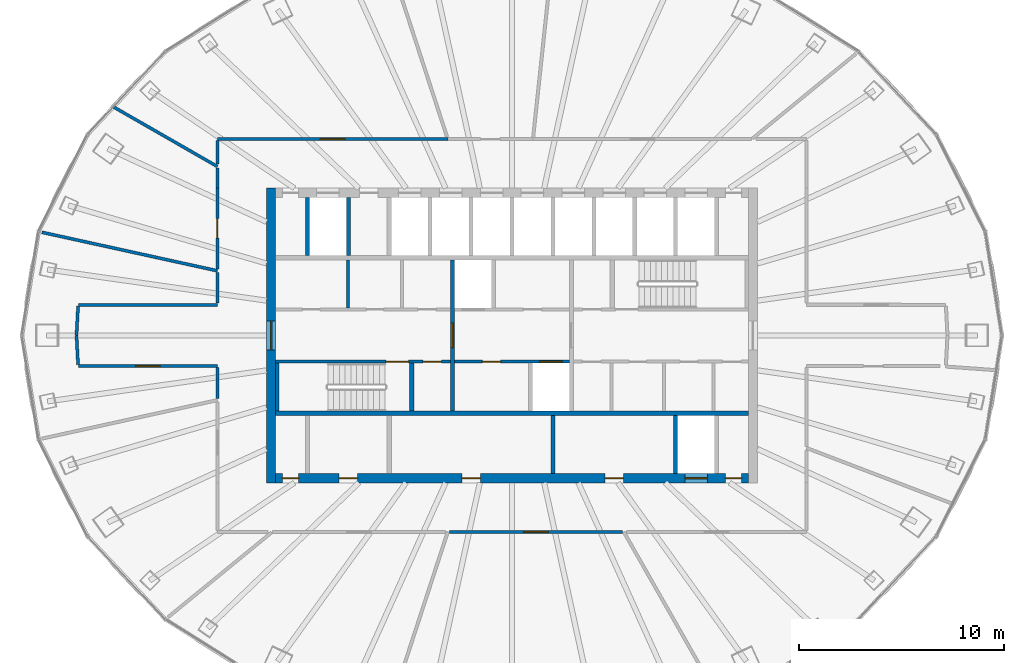
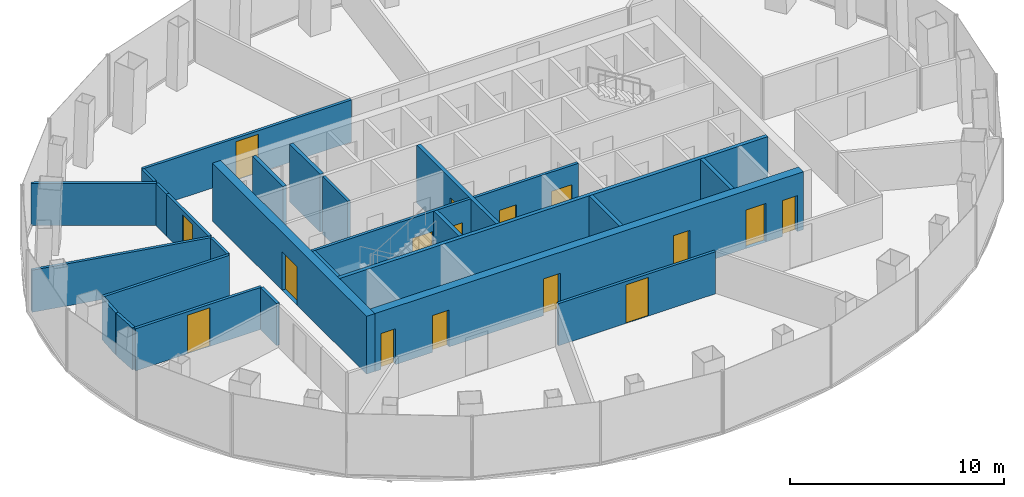
# One storey, part 7 of 10: 26 walls, 16 doors, 16 openings.
"""IFC4 building model written with IfcOpenShell, lengths in metres."""

from ifc_helpers import new_model, si_unit, direction, frame, frame_2d, origin, place, context, subcontext, project, spatial, rectangle, extrude, material, layer, layer_set, type_object, element, fill, save


model = new_model("IFC4")

# Units and contexts
model_context = context("Model", 3, precision=1e-05, world=origin(), true_north=direction((0.0, 1.0)))
body_context = subcontext(model_context, "Body", "Model", "MODEL_VIEW")
ifc_project = project(units=[si_unit("LENGTHUNIT", "METRE"), si_unit("AREAUNIT", "SQUARE_METRE"), si_unit("VOLUMEUNIT", "CUBIC_METRE"), si_unit("PLANEANGLEUNIT", "RADIAN"), si_unit("MASSUNIT", "GRAM", prefix="KILO")], contexts=[model_context])

# Site, building, storey
site_placement = place(None, origin())
site = spatial("IfcSite", under=ifc_project, at=site_placement, CompositionType="ELEMENT")
building_placement = place(site_placement, origin())
building = spatial("IfcBuilding", under=site, at=building_placement, Name="Siaravel Broadcast Tower", CompositionType="ELEMENT")
storey_placement = place(building_placement, frame((0.0, 0.0, 164.5)))
storey = spatial("IfcBuildingStorey", under=building, at=storey_placement, Name="L39", CompositionType="ELEMENT", Elevation=164.5)

# Walls
ifc_material_1 = material(Name="Concrete blockwork", Category="masonry")
ifc_layer_1 = layer(ifc_material_1, 0.14990234375)
ifc_layer_set_1 = layer_set([ifc_layer_1], Name="Concrete blockwork")
wall_type_1 = type_object("IfcWallType", Name="Core partition 150", PredefinedType="PARTITIONING", material=ifc_layer_set_1)
wall_1_placement = place(storey_placement, frame((-8.010009765625, 1.35009765625, 0.0), z_axis=(0.0, 0.0, 1.0), x_axis=(0.0, 1.0, 0.0)))
element("IfcWall", 1, at=wall_1_placement, inside=storey, type_object=wall_type_1, Name="L39 core partition PNW0", PredefinedType="PARTITIONING", context=body_context, shape_type="SweptSolid", body=[
    extrude(rectangle(XDim=2.349853515625, YDim=0.14990234375, at=frame_2d((1.1748046875, 0.0))), origin(), (0.0, 0.0, 1.0), 3.300048828125),
])
ifc_layer_2 = layer(ifc_material_1, 0.199951171875)
ifc_layer_set_2 = layer_set([ifc_layer_2], Name="Concrete blockwork")
wall_type_2 = type_object("IfcWallType", Name="Core partition 200", PredefinedType="PARTITIONING", material=ifc_layer_set_2)
wall_2_placement = place(storey_placement, frame((2.0, -6.75, 0.0), z_axis=(0.0, 0.0, 1.0), x_axis=(0.0, 1.0, 0.0)))
element("IfcWall", 2, at=wall_2_placement, inside=storey, type_object=wall_type_2, Name="L39 core partition PFS2", PredefinedType="PARTITIONING", context=body_context, shape_type="SweptSolid", body=[
    extrude(rectangle(XDim=2.85009765625, YDim=0.199951171875, at=frame_2d((1.425048828125, 0.0))), origin(), (0.0, 0.0, 1.0), 3.300048828125),
])

# Wall, opening, door
ifc_material_2 = material(Name="Concrete C60/75", Category="concrete")
ifc_layer_3 = layer(ifc_material_2, 0.449951171875)
ifc_layer_set_3 = layer_set([ifc_layer_3], Name="Concrete C60/75")
wall_type_3 = type_object("IfcWallType", Name="Core wall 450", PredefinedType="SHEAR", material=ifc_layer_set_3)
wall_3_placement = place(storey_placement, frame((-11.77490234375, -7.199951171875, 0.0), z_axis=(0.0, 0.0, 1.0), x_axis=(0.0, 1.0, 0.0)))
wall_3 = element("IfcWall", 3, at=wall_3_placement, inside=storey, type_object=wall_type_3, Name="L39 core wall OW", PredefinedType="SHEAR", context=body_context, shape_type="SweptSolid", body=[
    extrude(rectangle(XDim=14.39990234375, YDim=0.449951171875, at=frame_2d((7.199951171875, 0.0))), origin(), (0.0, 0.0, 1.0), 3.300048828125),
])
opening_1_placement = place(wall_3_placement, frame((6.5, 0.0, 0.0)))
opening_1 = element("IfcOpeningElement", 4, at=opening_1_placement, cuts=wall_3, Name="Opening L39-DX-W", PredefinedType="OPENING", context=body_context, shape_type="SweptSolid", body=[
    extrude(rectangle(XDim=1.39990234375, YDim=2.199951171875, at=frame_2d((0.699951171875, 1.10009765625))), frame((0.0, 0.23486328125, 0.0), z_axis=(0.0, -1.0, 0.0), x_axis=(1.0, 0.0, 0.0)), (0.0, 0.0, 1.0), 0.469970703125),
])
ifc_material_3 = material(Name="Steel", Category="steel")
door_type_1 = type_object("IfcDoorType", Name="Core exit door 1400", OperationType="DOUBLE_DOOR_SINGLE_SWING", PredefinedType="DOOR", material=ifc_material_3)
door_1_placement = place(opening_1_placement, origin())
door_1 = element("IfcDoor", 5, at=door_1_placement, inside=storey, type_object=door_type_1, Name="L39 door DX-W", OperationType="DOUBLE_DOOR_SINGLE_SWING", OverallHeight=2.199951171875, OverallWidth=1.39990234375, PredefinedType="DOOR", context=body_context, shape_type="SweptSolid", body=[
    extrude(rectangle(XDim=1.39990234375, YDim=2.199951171875, at=frame_2d((0.699951171875, 1.10009765625))), frame((0.0, 0.02490234375, 0.0), z_axis=(0.0, -1.0, 0.0), x_axis=(1.0, 0.0, 0.0)), (0.0, 0.0, 1.0), 0.050048828125),
])
fill(opening_1, door_1)

# Wall, openings, doors
wall_4_placement = place(storey_placement, frame((-11.550048828125, -6.97509765625, 0.0), z_axis=(0.0, 0.0, 1.0), x_axis=(1.0, 0.0, 0.0)))
wall_4 = element("IfcWall", 6, at=wall_4_placement, inside=storey, type_object=wall_type_3, Name="L39 core wall OS", PredefinedType="SHEAR", context=body_context, shape_type="SweptSolid", body=[
    extrude(rectangle(XDim=23.10009765625, YDim=0.449951171875, at=frame_2d((11.550048828125, 0.0))), origin(), (0.0, 0.0, 1.0), 3.300048828125),
])
opening_2_placement = place(wall_4_placement, frame((20.0, 0.0, 0.0)))
opening_2 = element("IfcOpeningElement", 7, at=opening_2_placement, cuts=wall_4, Name="Opening LD-SV1-L39", PredefinedType="OPENING", context=body_context, shape_type="SweptSolid", body=[
    extrude(rectangle(XDim=1.10009765625, YDim=2.199951171875, at=frame_2d((0.550048828125, 1.10009765625))), frame((0.0, 0.23486328125, 0.0), z_axis=(0.0, -1.0, 0.0), x_axis=(1.0, 0.0, 0.0)), (0.0, 0.0, 1.0), 0.469970703125),
])
opening_3_placement = place(wall_4_placement, frame((3.10009765625, 0.0, 0.0)))
opening_3 = element("IfcOpeningElement", 8, at=opening_3_placement, cuts=wall_4, Name="Opening L39-DFS0", PredefinedType="OPENING", context=body_context, shape_type="SweptSolid", body=[
    extrude(rectangle(XDim=0.89990234375, YDim=2.10009765625, at=frame_2d((0.449951171875, 1.050048828125))), frame((0.0, 0.23486328125, 0.0), z_axis=(0.0, -1.0, 0.0), x_axis=(1.0, 0.0, 0.0)), (0.0, 0.0, 1.0), 0.469970703125),
])
opening_4_placement = place(wall_4_placement, frame((9.10009765625, 0.0, 0.0)))
opening_4 = element("IfcOpeningElement", 9, at=opening_4_placement, cuts=wall_4, Name="Opening L39-DFS2", PredefinedType="OPENING", context=body_context, shape_type="SweptSolid", body=[
    extrude(rectangle(XDim=0.89990234375, YDim=2.10009765625, at=frame_2d((0.449951171875, 1.050048828125))), frame((0.0, 0.23486328125, 0.0), z_axis=(0.0, -1.0, 0.0), x_axis=(1.0, 0.0, 0.0)), (0.0, 0.0, 1.0), 0.469970703125),
])
opening_5_placement = place(wall_4_placement, frame((16.10009765625, 0.0, 0.0)))
opening_5 = element("IfcOpeningElement", 10, at=opening_5_placement, cuts=wall_4, Name="Opening L39-DFS6", PredefinedType="OPENING", context=body_context, shape_type="SweptSolid", body=[
    extrude(rectangle(XDim=0.89990234375, YDim=2.10009765625, at=frame_2d((0.449951171875, 1.050048828125))), frame((0.0, 0.23486328125, 0.0), z_axis=(0.0, -1.0, 0.0), x_axis=(1.0, 0.0, 0.0)), (0.0, 0.0, 1.0), 0.469970703125),
])
opening_6_placement = place(wall_4_placement, frame((0.324951171875, 0.0, 0.0)))
opening_6 = element("IfcOpeningElement", 11, at=opening_6_placement, cuts=wall_4, Name="Opening L39-DRSW", PredefinedType="OPENING", context=body_context, shape_type="SweptSolid", body=[
    extrude(rectangle(XDim=0.800048828125, YDim=2.050048828125, at=frame_2d((0.39990234375, 1.02490234375))), frame((0.0, 0.23486328125, 0.0), z_axis=(0.0, -1.0, 0.0), x_axis=(1.0, 0.0, 0.0)), (0.0, 0.0, 1.0), 0.469970703125),
])
opening_7_placement = place(wall_4_placement, frame((21.97509765625, 0.0, 0.0)))
opening_7 = element("IfcOpeningElement", 12, at=opening_7_placement, cuts=wall_4, Name="Opening L39-DRSE", PredefinedType="OPENING", context=body_context, shape_type="SweptSolid", body=[
    extrude(rectangle(XDim=0.800048828125, YDim=2.050048828125, at=frame_2d((0.39990234375, 1.02490234375))), frame((0.0, 0.23486328125, 0.0), z_axis=(0.0, -1.0, 0.0), x_axis=(1.0, 0.0, 0.0)), (0.0, 0.0, 1.0), 0.469970703125),
])
ifc_material_4 = material(Name="Timber veneer", Category="wood")
door_type_2 = type_object("IfcDoorType", Name="Core room door 900", OperationType="SINGLE_SWING_LEFT", PredefinedType="DOOR", material=ifc_material_4)
door_2_placement = place(opening_3_placement, origin())
door_2 = element("IfcDoor", 13, at=door_2_placement, inside=storey, type_object=door_type_2, Name="L39 door DFS0", OperationType="SINGLE_SWING_LEFT", OverallHeight=2.10009765625, OverallWidth=0.89990234375, PredefinedType="DOOR", context=body_context, shape_type="SweptSolid", body=[
    extrude(rectangle(XDim=0.89990234375, YDim=2.10009765625, at=frame_2d((0.449951171875, 1.050048828125))), frame((0.0, 0.02490234375, 0.0), z_axis=(0.0, -1.0, 0.0), x_axis=(1.0, 0.0, 0.0)), (0.0, 0.0, 1.0), 0.050048828125),
])
fill(opening_3, door_2)
door_3_placement = place(opening_4_placement, origin())
door_3 = element("IfcDoor", 14, at=door_3_placement, inside=storey, type_object=door_type_2, Name="L39 door DFS2", OperationType="SINGLE_SWING_LEFT", OverallHeight=2.10009765625, OverallWidth=0.89990234375, PredefinedType="DOOR", context=body_context, shape_type="SweptSolid", body=[
    extrude(rectangle(XDim=0.89990234375, YDim=2.10009765625, at=frame_2d((0.449951171875, 1.050048828125))), frame((0.0, 0.02490234375, 0.0), z_axis=(0.0, -1.0, 0.0), x_axis=(1.0, 0.0, 0.0)), (0.0, 0.0, 1.0), 0.050048828125),
])
fill(opening_4, door_3)
door_4_placement = place(opening_5_placement, origin())
door_4 = element("IfcDoor", 15, at=door_4_placement, inside=storey, type_object=door_type_2, Name="L39 door DFS6", OperationType="SINGLE_SWING_LEFT", OverallHeight=2.10009765625, OverallWidth=0.89990234375, PredefinedType="DOOR", context=body_context, shape_type="SweptSolid", body=[
    extrude(rectangle(XDim=0.89990234375, YDim=2.10009765625, at=frame_2d((0.449951171875, 1.050048828125))), frame((0.0, 0.02490234375, 0.0), z_axis=(0.0, -1.0, 0.0), x_axis=(1.0, 0.0, 0.0)), (0.0, 0.0, 1.0), 0.050048828125),
])
fill(opening_5, door_4)
door_type_3 = type_object("IfcDoorType", Name="Riser door 800", OperationType="SINGLE_SWING_LEFT", PredefinedType="DOOR", material=ifc_material_3)
door_5_placement = place(opening_6_placement, origin())
door_5 = element("IfcDoor", 16, at=door_5_placement, inside=storey, type_object=door_type_3, Name="L39 door DRSW", OperationType="SINGLE_SWING_LEFT", OverallHeight=2.050048828125, OverallWidth=0.800048828125, PredefinedType="DOOR", context=body_context, shape_type="SweptSolid", body=[
    extrude(rectangle(XDim=0.800048828125, YDim=2.050048828125, at=frame_2d((0.39990234375, 1.02490234375))), frame((0.0, 0.02490234375, 0.0), z_axis=(0.0, -1.0, 0.0), x_axis=(1.0, 0.0, 0.0)), (0.0, 0.0, 1.0), 0.050048828125),
])
fill(opening_6, door_5)
door_6_placement = place(opening_7_placement, origin())
door_6 = element("IfcDoor", 17, at=door_6_placement, inside=storey, type_object=door_type_3, Name="L39 door DRSE", OperationType="SINGLE_SWING_LEFT", OverallHeight=2.050048828125, OverallWidth=0.800048828125, PredefinedType="DOOR", context=body_context, shape_type="SweptSolid", body=[
    extrude(rectangle(XDim=0.800048828125, YDim=2.050048828125, at=frame_2d((0.39990234375, 1.02490234375))), frame((0.0, 0.02490234375, 0.0), z_axis=(0.0, -1.0, 0.0), x_axis=(1.0, 0.0, 0.0)), (0.0, 0.0, 1.0), 0.050048828125),
])
fill(opening_7, door_6)
ifc_material_5 = material(Name="Stainless steel 316L", Category="steel")
door_type_4 = type_object("IfcDoorType", Name="Service lift landing door 1100", OperationType="DOUBLE_DOOR_SLIDING", PredefinedType="DOOR", material=ifc_material_5)
door_7_placement = place(opening_2_placement, origin())
door_7 = element("IfcDoor", 18, at=door_7_placement, inside=storey, type_object=door_type_4, Name="Landing door SV1 L39", OperationType="DOUBLE_DOOR_SLIDING", OverallHeight=2.199951171875, OverallWidth=1.10009765625, PredefinedType="DOOR", context=body_context, shape_type="SweptSolid", body=[
    extrude(rectangle(XDim=1.10009765625, YDim=2.199951171875, at=frame_2d((0.550048828125, 1.10009765625))), frame((0.0, 0.02490234375, 0.0), z_axis=(0.0, -1.0, 0.0), x_axis=(1.0, 0.0, 0.0)), (0.0, 0.0, 1.0), 0.050048828125),
])
fill(opening_2, door_7)

# Wall, opening, door
ifc_material_6 = material(Name="Gypsum board partition", Category="gypsum")
ifc_layer_4 = layer(ifc_material_6, 0.14990234375)
ifc_layer_set_4 = layer_set([ifc_layer_4], Name="Gypsum board partition")
wall_type_4 = type_object("IfcWallType", Name="Corridor wall 150", PredefinedType="PARTITIONING", material=ifc_layer_set_4)
wall_5_placement = place(storey_placement, frame((-3.140380859375, 9.60009765625, 0.0), z_axis=(0.0, 0.0, 1.0), x_axis=(-1.0, 0.0, 0.0)))
wall_5 = element("IfcWall", 19, at=wall_5_placement, inside=storey, type_object=wall_type_4, Name="L39 partition 1", PredefinedType="PARTITIONING", context=body_context, shape_type="SweptSolid", body=[
    extrude(rectangle(XDim=11.259521484375, YDim=0.14990234375, at=frame_2d((5.6298828125, 0.0))), origin(), (0.0, 0.0, 1.0), 2.39990234375),
])
opening_8_placement = place(wall_5_placement, frame((5.02978515625, 0.0, 0.0)))
opening_8 = element("IfcOpeningElement", 20, at=opening_8_placement, cuts=wall_5, Name="Opening L39-004", PredefinedType="OPENING", context=body_context, shape_type="SweptSolid", body=[
    extrude(rectangle(XDim=1.199951171875, YDim=2.199951171875, at=frame_2d((0.60009765625, 1.10009765625))), frame((0.0, 0.0849609375, 0.0), z_axis=(0.0, -1.0, 0.0), x_axis=(1.0, 0.0, 0.0)), (0.0, 0.0, 1.0), 0.169921875),
])
door_type_5 = type_object("IfcDoorType", Name="Office double door 1200", OperationType="DOUBLE_DOOR_SINGLE_SWING", PredefinedType="DOOR", material=ifc_material_4)
door_8_placement = place(opening_8_placement, origin())
door_8 = element("IfcDoor", 21, at=door_8_placement, inside=storey, type_object=door_type_5, Name="L39 door to Open plan office", OperationType="DOUBLE_DOOR_SINGLE_SWING", OverallHeight=2.199951171875, OverallWidth=1.199951171875, PredefinedType="DOOR", context=body_context, shape_type="SweptSolid", body=[
    extrude(rectangle(XDim=1.199951171875, YDim=2.199951171875, at=frame_2d((0.60009765625, 1.10009765625))), frame((0.0, 0.02490234375, 0.0), z_axis=(0.0, -1.0, 0.0), x_axis=(1.0, 0.0, 0.0)), (0.0, 0.0, 1.0), 0.050048828125),
])
fill(opening_8, door_8)

wall_6_placement = place(storey_placement, frame((-3.067138671875, -9.60009765625, 0.0), z_axis=(0.0, 0.0, 1.0), x_axis=(1.0, 0.0, 0.0)))
wall_6 = element("IfcWall", 22, at=wall_6_placement, inside=storey, type_object=wall_type_4, Name="L39 partition 10", PredefinedType="PARTITIONING", context=body_context, shape_type="SweptSolid", body=[
    extrude(rectangle(XDim=8.465087890625, YDim=0.14990234375, at=frame_2d((4.232421875, 0.0))), origin(), (0.0, 0.0, 1.0), 2.39990234375),
])
opening_9_placement = place(wall_6_placement, frame((3.632568359375, 0.0, 0.0)))
opening_9 = element("IfcOpeningElement", 23, at=opening_9_placement, cuts=wall_6, Name="Opening L39-009", PredefinedType="OPENING", context=body_context, shape_type="SweptSolid", body=[
    extrude(rectangle(XDim=1.199951171875, YDim=2.199951171875, at=frame_2d((0.60009765625, 1.10009765625))), frame((0.0, 0.0849609375, 0.0), z_axis=(0.0, -1.0, 0.0), x_axis=(1.0, 0.0, 0.0)), (0.0, 0.0, 1.0), 0.169921875),
])
door_9_placement = place(opening_9_placement, origin())
door_9 = element("IfcDoor", 24, at=door_9_placement, inside=storey, type_object=door_type_5, Name="L39 door to Open plan office", OperationType="DOUBLE_DOOR_SINGLE_SWING", OverallHeight=2.199951171875, OverallWidth=1.199951171875, PredefinedType="DOOR", context=body_context, shape_type="SweptSolid", body=[
    extrude(rectangle(XDim=1.199951171875, YDim=2.199951171875, at=frame_2d((0.60009765625, 1.10009765625))), frame((0.0, 0.02490234375, 0.0), z_axis=(0.0, -1.0, 0.0), x_axis=(1.0, 0.0, 0.0)), (0.0, 0.0, 1.0), 0.050048828125),
])
fill(opening_9, door_9)

wall_7_placement = place(storey_placement, frame((-21.20166015625, -1.5, 0.0), z_axis=(0.0, 0.0, 1.0), x_axis=(1.0, 0.0, 0.0)))
wall_7 = element("IfcWall", 25, at=wall_7_placement, inside=storey, type_object=wall_type_4, Name="L39 partition 13", PredefinedType="PARTITIONING", context=body_context, shape_type="SweptSolid", body=[
    extrude(rectangle(XDim=6.8017578125, YDim=0.14990234375, at=frame_2d((3.40087890625, 0.0))), origin(), (0.0, 0.0, 1.0), 2.39990234375),
])
opening_10_placement = place(wall_7_placement, frame((2.80078125, 0.0, 0.0)))
opening_10 = element("IfcOpeningElement", 26, at=opening_10_placement, cuts=wall_7, Name="Opening L39-006", PredefinedType="OPENING", context=body_context, shape_type="SweptSolid", body=[
    extrude(rectangle(XDim=1.199951171875, YDim=2.199951171875, at=frame_2d((0.60009765625, 1.10009765625))), frame((0.0, 0.0849609375, 0.0), z_axis=(0.0, -1.0, 0.0), x_axis=(1.0, 0.0, 0.0)), (0.0, 0.0, 1.0), 0.169921875),
])
door_10_placement = place(opening_10_placement, origin())
door_10 = element("IfcDoor", 27, at=door_10_placement, inside=storey, type_object=door_type_5, Name="L39 door to Open plan office", OperationType="DOUBLE_DOOR_SINGLE_SWING", OverallHeight=2.199951171875, OverallWidth=1.199951171875, PredefinedType="DOOR", context=body_context, shape_type="SweptSolid", body=[
    extrude(rectangle(XDim=1.199951171875, YDim=2.199951171875, at=frame_2d((0.60009765625, 1.10009765625))), frame((0.0, 0.02490234375, 0.0), z_axis=(0.0, -1.0, 0.0), x_axis=(1.0, 0.0, 0.0)), (0.0, 0.0, 1.0), 0.050048828125),
])
fill(opening_10, door_10)

# Wall
wall_8_placement = place(storey_placement, frame((-14.39990234375, 1.5, 0.0), z_axis=(0.0, 0.0, 1.0), x_axis=(-1.0, 0.0, 0.0)))
element("IfcWall", 28, at=wall_8_placement, inside=storey, type_object=wall_type_4, Name="L39 partition 14", PredefinedType="PARTITIONING", context=body_context, shape_type="SweptSolid", body=[
    extrude(rectangle(XDim=6.8017578125, YDim=0.14990234375, at=frame_2d((3.40087890625, 0.0))), origin(), (0.0, 0.0, 1.0), 2.39990234375),
])

# Wall, opening, door
wall_9_placement = place(storey_placement, frame((-14.39990234375, 7.2119140625, 0.0), z_axis=(0.0, 0.0, 1.0), x_axis=(0.0, -1.0, 0.0)))
wall_9 = element("IfcWall", 29, at=wall_9_placement, inside=storey, type_object=wall_type_4, Name="L39 partition 23", PredefinedType="PARTITIONING", context=body_context, shape_type="SweptSolid", body=[
    extrude(rectangle(XDim=3.9560546875, YDim=0.14990234375, at=frame_2d((1.97802734375, 0.0))), origin(), (0.0, 0.0, 1.0), 2.39990234375),
])
opening_11_placement = place(wall_9_placement, frame((1.503173828125, 0.0, 0.0)))
opening_11 = element("IfcOpeningElement", 30, at=opening_11_placement, cuts=wall_9, Name="Opening L39-005", PredefinedType="OPENING", context=body_context, shape_type="SweptSolid", body=[
    extrude(rectangle(XDim=0.949951171875, YDim=2.14990234375, at=frame_2d((0.47509765625, 1.074951171875))), frame((0.0, 0.0849609375, 0.0), z_axis=(0.0, -1.0, 0.0), x_axis=(1.0, 0.0, 0.0)), (0.0, 0.0, 1.0), 0.169921875),
])
door_type_6 = type_object("IfcDoorType", Name="Office door 950", OperationType="SINGLE_SWING_LEFT", PredefinedType="DOOR", material=ifc_material_4)
door_11_placement = place(opening_11_placement, origin())
door_11 = element("IfcDoor", 31, at=door_11_placement, inside=storey, type_object=door_type_6, Name="L39 door to Reception", OperationType="SINGLE_SWING_LEFT", OverallHeight=2.14990234375, OverallWidth=0.949951171875, PredefinedType="DOOR", context=body_context, shape_type="SweptSolid", body=[
    extrude(rectangle(XDim=0.949951171875, YDim=2.14990234375, at=frame_2d((0.47509765625, 1.074951171875))), frame((0.0, 0.02490234375, 0.0), z_axis=(0.0, -1.0, 0.0), x_axis=(1.0, 0.0, 0.0)), (0.0, 0.0, 1.0), 0.050048828125),
])
fill(opening_11, door_11)

# Walls
for number, where, z_axis, x_axis, name in (
    (32, (-14.39990234375, -1.576904296875, 0.0), (0.0, 0.0, 1.0), (0.0, -1.0, 0.0), "L39 partition 32"),
    (33, (-14.39990234375, 3.085205078125, 0.0), (0.0, 0.0, 1.0), (0.0, -1.0, 0.0), "L39 partition 33"),
):
    element("IfcWall", number, at=place(storey_placement, frame(where, z_axis=z_axis, x_axis=x_axis)), inside=storey, type_object=wall_type_4, Name=name, PredefinedType="PARTITIONING", context=body_context, shape_type="SweptSolid", body=[
        extrude(rectangle(XDim=1.50830078125, YDim=0.14990234375, at=frame_2d((0.754150390625, 0.0))), origin(), (0.0, 0.0, 1.0), 2.39990234375),
    ])
wall_10_placement = place(storey_placement, frame((-21.289306640625, 0.0, 0.0), z_axis=(0.0, 0.0, 1.0), x_axis=(0.053239493, -0.998581773, 0.0)))
element("IfcWall", 34, at=wall_10_placement, inside=storey, type_object=wall_type_4, Name="L39 partition 35", PredefinedType="PARTITIONING", context=body_context, shape_type="SweptSolid", body=[
    extrude(rectangle(XDim=1.4306640625, YDim=0.14990234375, at=frame_2d((0.71533203125, 0.0))), origin(), (0.0, 0.0, 1.0), 2.39990234375),
])
wall_11_placement = place(storey_placement, frame((-21.213134765625, 1.4287109375, 0.0), z_axis=(0.0, 0.0, 1.0), x_axis=(-0.053271351, -0.998580073, 0.0)))
element("IfcWall", 35, at=wall_11_placement, inside=storey, type_object=wall_type_4, Name="L39 partition 36", PredefinedType="PARTITIONING", context=body_context, shape_type="SweptSolid", body=[
    extrude(rectangle(XDim=1.420654296875, YDim=0.14990234375, at=frame_2d((0.71044921875, 0.0))), origin(), (0.0, 0.0, 1.0), 2.39990234375),
])
wall_12_placement = place(storey_placement, frame((-14.39990234375, 9.52294921875, 0.0), z_axis=(0.0, 0.0, 1.0), x_axis=(0.0, -1.0, 0.0)))
element("IfcWall", 36, at=wall_12_placement, inside=storey, type_object=wall_type_4, Name="L39 partition 38", PredefinedType="PARTITIONING", context=body_context, shape_type="SweptSolid", body=[
    extrude(rectangle(XDim=1.13232421875, YDim=0.14990234375, at=frame_2d((0.566162109375, 0.0))), origin(), (0.0, 0.0, 1.0), 2.39990234375),
])
wall_13_placement = place(storey_placement, frame((-14.39990234375, 8.192138671875, 0.0), z_axis=(0.0, 0.0, 1.0), x_axis=(0.0, -1.0, 0.0)))
element("IfcWall", 37, at=wall_13_placement, inside=storey, type_object=wall_type_4, Name="L39 partition 39", PredefinedType="PARTITIONING", context=body_context, shape_type="SweptSolid", body=[
    extrude(rectangle(XDim=0.979248046875, YDim=0.14990234375, at=frame_2d((0.48974609375, 0.0))), origin(), (0.0, 0.0, 1.0), 2.39990234375),
])
ifc_layer_5 = layer(ifc_material_6, 0.14990234375)
ifc_layer_set_5 = layer_set([ifc_layer_5], Name="Gypsum board partition")
wall_type_5 = type_object("IfcWallType", Name="Room partition 150", PredefinedType="PARTITIONING", material=ifc_layer_set_5)
wall_14_placement = place(storey_placement, frame((-22.980712890625, 5.0439453125, 0.0), z_axis=(0.0, 0.0, 1.0), x_axis=(0.976745479, -0.214402122, 0.0)))
element("IfcWall", 38, at=wall_14_placement, inside=storey, type_object=wall_type_5, Name="L39 partition 8", PredefinedType="PARTITIONING", context=body_context, shape_type="SweptSolid", body=[
    extrude(rectangle(XDim=8.78515625, YDim=0.14990234375, at=frame_2d((4.392578125, 0.0))), origin(), (0.0, 0.0, 1.0), 2.39990234375),
])
wall_15_placement = place(storey_placement, frame((-19.483154296875, 11.174560546875, 0.0), z_axis=(0.0, 0.0, 1.0), x_axis=(0.867447243, -0.497529176, 0.0)))
element("IfcWall", 39, at=wall_15_placement, inside=storey, type_object=wall_type_5, Name="L39 partition 19", PredefinedType="PARTITIONING", context=body_context, shape_type="SweptSolid", body=[
    extrude(rectangle(XDim=5.860107421875, YDim=0.14990234375, at=frame_2d((2.93017578125, 0.0))), origin(), (0.0, 0.0, 1.0), 2.39990234375),
])

# Wall, openings, doors
ifc_layer_6 = layer(ifc_material_2, 0.14990234375)
ifc_layer_set_6 = layer_set([ifc_layer_6], Name="Concrete C60/75")
wall_type_6 = type_object("IfcWallType", Name="Shaft wall 150", PredefinedType="SHEAR", material=ifc_layer_set_6)
wall_16_placement = place(storey_placement, frame((-11.550048828125, -1.27490234375, 0.0), z_axis=(0.0, 0.0, 1.0), x_axis=(1.0, 0.0, 0.0)))
wall_16 = element("IfcWall", 40, at=wall_16_placement, inside=storey, type_object=wall_type_6, Name="L39 core wall CSW", PredefinedType="SHEAR", context=body_context, shape_type="SweptSolid", body=[
    extrude(rectangle(XDim=8.550048828125, YDim=0.14990234375, at=frame_2d((4.27490234375, 0.0))), origin(), (0.0, 0.0, 1.0), 3.300048828125),
])
opening_12_placement = place(wall_16_placement, frame((5.39990234375, 0.0, 0.0)))
opening_12 = element("IfcOpeningElement", 41, at=opening_12_placement, cuts=wall_16, Name="Opening L39-DS-1", PredefinedType="OPENING", context=body_context, shape_type="SweptSolid", body=[
    extrude(rectangle(XDim=1.10009765625, YDim=2.14990234375, at=frame_2d((0.550048828125, 1.074951171875))), frame((0.0, 0.0849609375, 0.0), z_axis=(0.0, -1.0, 0.0), x_axis=(1.0, 0.0, 0.0)), (0.0, 0.0, 1.0), 0.169921875),
])
opening_13_placement = place(wall_16_placement, frame((7.199951171875, 0.0, 0.0)))
opening_13 = element("IfcOpeningElement", 42, at=opening_13_placement, cuts=wall_16, Name="Opening L39-DSW0", PredefinedType="OPENING", context=body_context, shape_type="SweptSolid", body=[
    extrude(rectangle(XDim=0.89990234375, YDim=2.10009765625, at=frame_2d((0.449951171875, 1.050048828125))), frame((0.0, 0.0849609375, 0.0), z_axis=(0.0, -1.0, 0.0), x_axis=(1.0, 0.0, 0.0)), (0.0, 0.0, 1.0), 0.169921875),
])
door_12_placement = place(opening_13_placement, origin())
door_12 = element("IfcDoor", 43, at=door_12_placement, inside=storey, type_object=door_type_2, Name="L39 door DSW0", OperationType="SINGLE_SWING_LEFT", OverallHeight=2.10009765625, OverallWidth=0.89990234375, PredefinedType="DOOR", context=body_context, shape_type="SweptSolid", body=[
    extrude(rectangle(XDim=0.89990234375, YDim=2.10009765625, at=frame_2d((0.449951171875, 1.050048828125))), frame((0.0, 0.02490234375, 0.0), z_axis=(0.0, -1.0, 0.0), x_axis=(1.0, 0.0, 0.0)), (0.0, 0.0, 1.0), 0.050048828125),
])
fill(opening_13, door_12)
door_type_7 = type_object("IfcDoorType", Name="Stair door 1100", OperationType="SINGLE_SWING_LEFT", PredefinedType="DOOR", material=ifc_material_3)
door_13_placement = place(opening_12_placement, origin())
door_13 = element("IfcDoor", 44, at=door_13_placement, inside=storey, type_object=door_type_7, Name="L39 door DS-1", OperationType="SINGLE_SWING_LEFT", OverallHeight=2.14990234375, OverallWidth=1.10009765625, PredefinedType="DOOR", context=body_context, shape_type="SweptSolid", body=[
    extrude(rectangle(XDim=1.10009765625, YDim=2.14990234375, at=frame_2d((0.550048828125, 1.074951171875))), frame((0.0, 0.02490234375, 0.0), z_axis=(0.0, -1.0, 0.0), x_axis=(1.0, 0.0, 0.0)), (0.0, 0.0, 1.0), 0.050048828125),
])
fill(opening_12, door_13)

wall_17_placement = place(storey_placement, frame((-2.800048828125, -1.27490234375, 0.0), z_axis=(0.0, 0.0, 1.0), x_axis=(1.0, 0.0, 0.0)))
wall_17 = element("IfcWall", 45, at=wall_17_placement, inside=storey, type_object=wall_type_6, Name="L39 core wall CSM", PredefinedType="SHEAR", context=body_context, shape_type="SweptSolid", body=[
    extrude(rectangle(XDim=5.60009765625, YDim=0.14990234375, at=frame_2d((2.800048828125, 0.0))), origin(), (0.0, 0.0, 1.0), 3.300048828125),
])
opening_14_placement = place(wall_17_placement, frame((4.14990234375, 0.0, 0.0)))
opening_14 = element("IfcOpeningElement", 46, at=opening_14_placement, cuts=wall_17, Name="Opening LD-FL2-L39", PredefinedType="OPENING", context=body_context, shape_type="SweptSolid", body=[
    extrude(rectangle(XDim=1.10009765625, YDim=2.199951171875, at=frame_2d((0.550048828125, 1.10009765625))), frame((0.0, 0.0849609375, 0.0), z_axis=(0.0, -1.0, 0.0), x_axis=(1.0, 0.0, 0.0)), (0.0, 0.0, 1.0), 0.169921875),
])
opening_15_placement = place(wall_17_placement, frame((1.35009765625, 0.0, 0.0)))
opening_15 = element("IfcOpeningElement", 47, at=opening_15_placement, cuts=wall_17, Name="Opening L39-DSM0", PredefinedType="OPENING", context=body_context, shape_type="SweptSolid", body=[
    extrude(rectangle(XDim=0.89990234375, YDim=2.10009765625, at=frame_2d((0.449951171875, 1.050048828125))), frame((0.0, 0.0849609375, 0.0), z_axis=(0.0, -1.0, 0.0), x_axis=(1.0, 0.0, 0.0)), (0.0, 0.0, 1.0), 0.169921875),
])
door_14_placement = place(opening_15_placement, origin())
door_14 = element("IfcDoor", 48, at=door_14_placement, inside=storey, type_object=door_type_2, Name="L39 door DSM0", OperationType="SINGLE_SWING_LEFT", OverallHeight=2.10009765625, OverallWidth=0.89990234375, PredefinedType="DOOR", context=body_context, shape_type="SweptSolid", body=[
    extrude(rectangle(XDim=0.89990234375, YDim=2.10009765625, at=frame_2d((0.449951171875, 1.050048828125))), frame((0.0, 0.02490234375, 0.0), z_axis=(0.0, -1.0, 0.0), x_axis=(1.0, 0.0, 0.0)), (0.0, 0.0, 1.0), 0.050048828125),
])
fill(opening_15, door_14)
door_type_8 = type_object("IfcDoorType", Name="Firefighting lift landing door 1100", OperationType="DOUBLE_DOOR_SLIDING", PredefinedType="DOOR", material=ifc_material_5)
door_15_placement = place(opening_14_placement, origin())
door_15 = element("IfcDoor", 49, at=door_15_placement, inside=storey, type_object=door_type_8, Name="Landing door FL2 L39", OperationType="DOUBLE_DOOR_SLIDING", OverallHeight=2.199951171875, OverallWidth=1.10009765625, PredefinedType="DOOR", context=body_context, shape_type="SweptSolid", body=[
    extrude(rectangle(XDim=1.10009765625, YDim=2.199951171875, at=frame_2d((0.550048828125, 1.10009765625))), frame((0.0, 0.02490234375, 0.0), z_axis=(0.0, -1.0, 0.0), x_axis=(1.0, 0.0, 0.0)), (0.0, 0.0, 1.0), 0.050048828125),
])
fill(opening_14, door_15)

# Walls
wall_18_placement = place(storey_placement, frame((-11.47509765625, -3.699951171875, 0.0), z_axis=(0.0, 0.0, 1.0), x_axis=(0.0, 1.0, 0.0)))
element("IfcWall", 50, at=wall_18_placement, inside=storey, type_object=wall_type_6, Name="L39 core wall ST1W", PredefinedType="SHEAR", context=body_context, shape_type="SweptSolid", body=[
    extrude(rectangle(XDim=2.349853515625, YDim=0.14990234375, at=frame_2d((1.1748046875, 0.0))), origin(), (0.0, 0.0, 1.0), 3.300048828125),
])
ifc_layer_7 = layer(ifc_material_2, 0.199951171875)
ifc_layer_set_7 = layer_set([ifc_layer_7], Name="Concrete C60/75")
wall_type_7 = type_object("IfcWallType", Name="Shaft wall 200", PredefinedType="SHEAR", material=ifc_layer_set_7)
wall_19_placement = place(storey_placement, frame((-11.550048828125, -3.800048828125, 0.0), z_axis=(0.0, 0.0, 1.0), x_axis=(1.0, 0.0, 0.0)))
element("IfcWall", 51, at=wall_19_placement, inside=storey, type_object=wall_type_7, Name="L39 core wall BS", PredefinedType="SHEAR", context=body_context, shape_type="SweptSolid", body=[
    extrude(rectangle(XDim=23.10009765625, YDim=0.199951171875, at=frame_2d((11.550048828125, 0.0))), origin(), (0.0, 0.0, 1.0), 3.300048828125),
])
for number, where, z_axis, x_axis, name in (
    (52, (8.0, -6.75, 0.0), (0.0, 0.0, 1.0), (0.0, 1.0, 0.0), "L39 core wall SWS9"),
    (53, (-10.0, 3.89990234375, 0.0), (0.0, 0.0, 1.0), (0.0, 1.0, 0.0), "L39 core wall SWN0"),
    (54, (-8.0, 3.89990234375, 0.0), (0.0, 0.0, 1.0), (0.0, 1.0, 0.0), "L39 core wall SWN1"),
):
    element("IfcWall", number, at=place(storey_placement, frame(where, z_axis=z_axis, x_axis=x_axis)), inside=storey, type_object=wall_type_7, Name=name, PredefinedType="SHEAR", context=body_context, shape_type="SweptSolid", body=[
        extrude(rectangle(XDim=2.85009765625, YDim=0.199951171875, at=frame_2d((1.425048828125, 0.0))), origin(), (0.0, 0.0, 1.0), 3.300048828125),
    ])

# Wall, opening, door
wall_20_placement = place(storey_placement, frame((-2.89990234375, -3.699951171875, 0.0), z_axis=(0.0, 0.0, 1.0), x_axis=(0.0, 1.0, 0.0)))
wall_20 = element("IfcWall", 55, at=wall_20_placement, inside=storey, type_object=wall_type_7, Name="L39 core wall LW", PredefinedType="SHEAR", context=body_context, shape_type="SweptSolid", body=[
    extrude(rectangle(XDim=7.39990234375, YDim=0.199951171875, at=frame_2d((3.699951171875, 0.0))), origin(), (0.0, 0.0, 1.0), 3.300048828125),
])
opening_16_placement = place(wall_20_placement, frame((3.10009765625, 0.0, 0.0)))
opening_16 = element("IfcOpeningElement", 56, at=opening_16_placement, cuts=wall_20, Name="Opening L39-DL-W", PredefinedType="OPENING", context=body_context, shape_type="SweptSolid", body=[
    extrude(rectangle(XDim=1.199951171875, YDim=2.199951171875, at=frame_2d((0.60009765625, 1.10009765625))), frame((0.0, 0.10986328125, 0.0), z_axis=(0.0, -1.0, 0.0), x_axis=(1.0, 0.0, 0.0)), (0.0, 0.0, 1.0), 0.219970703125),
])
door_type_9 = type_object("IfcDoorType", Name="Firefighting lobby door 1200", OperationType="SINGLE_SWING_LEFT", PredefinedType="DOOR", material=ifc_material_3)
door_16_placement = place(opening_16_placement, origin())
door_16 = element("IfcDoor", 57, at=door_16_placement, inside=storey, type_object=door_type_9, Name="L39 door DL-W", OperationType="SINGLE_SWING_LEFT", OverallHeight=2.199951171875, OverallWidth=1.199951171875, PredefinedType="DOOR", context=body_context, shape_type="SweptSolid", body=[
    extrude(rectangle(XDim=1.199951171875, YDim=2.199951171875, at=frame_2d((0.60009765625, 1.10009765625))), frame((0.0, 0.02490234375, 0.0), z_axis=(0.0, -1.0, 0.0), x_axis=(1.0, 0.0, 0.0)), (0.0, 0.0, 1.0), 0.050048828125),
])
fill(opening_16, door_16)

# Wall
wall_21_placement = place(storey_placement, frame((-4.89990234375, -3.699951171875, 0.0), z_axis=(0.0, 0.0, 1.0), x_axis=(0.0, 1.0, 0.0)))
element("IfcWall", 58, at=wall_21_placement, inside=storey, type_object=wall_type_7, Name="L39 core wall ST1E", PredefinedType="SHEAR", context=body_context, shape_type="SweptSolid", body=[
    extrude(rectangle(XDim=2.349853515625, YDim=0.199951171875, at=frame_2d((1.1748046875, 0.0))), origin(), (0.0, 0.0, 1.0), 3.300048828125),
])

save(model, "model.ifc")
